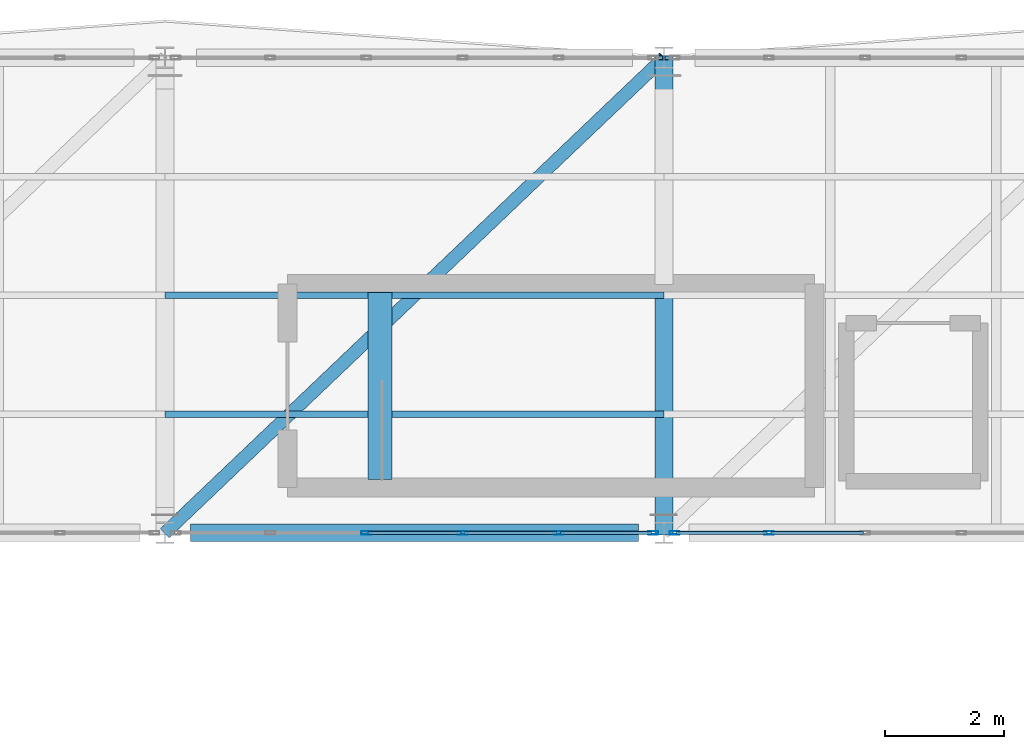
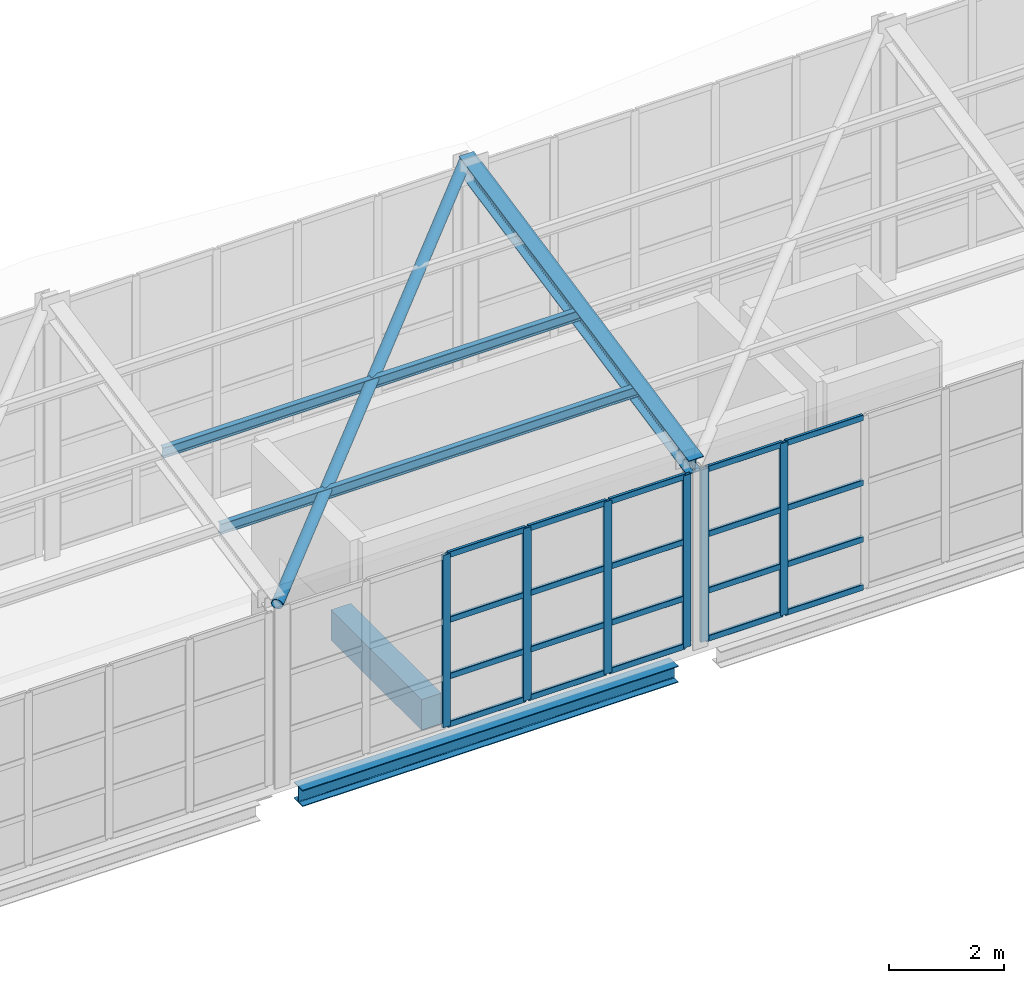
# One storey, part 114 of 177: 30 members, 2 beams, 2 elements without a shape of their own.
"""IFC4 building model written with IfcOpenShell, lengths in metres."""

from ifc_helpers import new_model, si_unit, direction, frame, origin, origin_2d, place, context, subcontext, project, spatial, rectangle, hollow_rectangle, hollow_circle, i_section, extrude, material, layer, layer_set, material_profile, profile_set, type_object, element, aggregate, save


model = new_model("IFC4")

# Units and contexts
model_context = context("Model", 3, precision=1e-05, world=origin(), true_north=direction((0.0, 1.0)))
body_context = subcontext(model_context, "Body", "Model", "MODEL_VIEW")
ifc_project = project(units=[si_unit("LENGTHUNIT", "METRE"), si_unit("AREAUNIT", "SQUARE_METRE"), si_unit("VOLUMEUNIT", "CUBIC_METRE"), si_unit("PLANEANGLEUNIT", "RADIAN"), si_unit("MASSUNIT", "GRAM", prefix="KILO"), si_unit("THERMODYNAMICTEMPERATUREUNIT", "KELVIN"), si_unit("POWERUNIT", "WATT")], contexts=[model_context])

# Site, building, storey
site_placement = place(None, origin())
site = spatial("IfcSite", under=ifc_project, at=site_placement, CompositionType="ELEMENT")
building_placement = place(site_placement, origin())
building = spatial("IfcBuilding", under=site, at=building_placement, Name="Mavoryth Pier Ferry Terminal", CompositionType="ELEMENT")
storey_placement = place(building_placement, frame((0.0, 0.0, 5.43994140625)))
storey = spatial("IfcBuildingStorey", under=building, at=storey_placement, Name="L01", CompositionType="ELEMENT", Elevation=5.43994140625)

# Member
ifc_material_1 = material(Name="Steel S355J2", Category="steel")
ifc_material_profile_1 = material_profile(ifc_material_1, hollow_circle(Radius=0.109619140625, WallThickness=0.010009765625, at=origin_2d()), Name="CHS 219.1x10.0", Category="steel")
ifc_profile_set_1 = profile_set([ifc_material_profile_1], Name="Steel S355J2 - CHS 219.1x10.0")
member_type_1 = type_object("IfcMemberType", Name="Brace-Diag-CHS219", PredefinedType="BRACE", material=ifc_profile_set_1)
member_1_placement = place(storey_placement, frame((126.0, 106.0, 3.771240234375), z_axis=(0.717108654399, 0.682968563255, 0.138957257423), x_axis=(-0.689659376744, 0.724133926887, 0.0)))
element("IfcMember", 1, at=member_1_placement, inside=storey, type_object=member_type_1, Name="Steel Member MB-L01-0289", PredefinedType="BRACE", context=body_context, shape_type="SweptSolid", body=[
    extrude(hollow_circle(Radius=0.109619140625, WallThickness=0.010009765625, at=origin_2d()), origin(), (0.0, 0.0, 1.0), 11.713623046875),
])

# Beam
ifc_material_2 = material(Name="Concrete C35/45", Category="concrete")
ifc_material_profile_2 = material_profile(ifc_material_2, rectangle(XDim=0.39990234375, YDim=0.64990234375, at=origin_2d()), Name="RC 400x650", Category="concrete")
ifc_profile_set_2 = profile_set([ifc_material_profile_2], Name="Concrete C35/45 - RC 400x650")
beam_type_1 = type_object("IfcBeamType", Name="Girder-RC-400x650", PredefinedType="BEAM", material=ifc_profile_set_2)
beam_1_placement = place(storey_placement, frame((129.6201171875, 106.89990234375, -0.324951171875), z_axis=(0.0, 1.0, 0.0), x_axis=(-1.0, 0.0, 0.0)))
element("IfcBeam", 2, at=beam_1_placement, inside=storey, type_object=beam_type_1, Name="Beam B01-BG05-1575", PredefinedType="BEAM", context=body_context, shape_type="SweptSolid", body=[
    extrude(rectangle(XDim=0.39990234375, YDim=0.64990234375, at=origin_2d()), origin(), (0.0, 0.0, 1.0), 3.150146484375),
])

# Curtain wall, members
ifc_material_3 = material(Name="Anodised Aluminium and Solar-Control Low-E Glass", Category="aluminium")
ifc_layer = layer(ifc_material_3, 0.139892578125, Name="Anodised Aluminium and Solar-Control Low-E Glass", Category="aluminium")
ifc_layer_set = layer_set([ifc_layer], Name="Anodised Aluminium and Solar-Control Low-E Glass - CW-Gallery-Mod1600")
curtain_wall_type = type_object("IfcCurtainWallType", Name="CW-Gallery-Mod1600", PredefinedType="USERDEFINED", material=ifc_layer_set)
curtain_wall_1_placement = place(storey_placement, origin())
curtain_wall_1 = element("IfcCurtainWall", 3, at=curtain_wall_1_placement, inside=storey, type_object=curtain_wall_type, Name="Curtain Wall CW-0122-091", ObjectType="UNITISED CURTAIN WALL", PredefinedType="USERDEFINED")
ifc_material_4 = material(Name="Anodised Aluminium EN AW-6063", Category="aluminium")
ifc_material_profile_3 = material_profile(ifc_material_4, hollow_rectangle(XDim=0.06005859375, YDim=0.1650390625, WallThickness=0.00390625, InnerFilletRadius=0.00390625, OuterFilletRadius=0.008056640625, at=origin_2d()), Name="AL-MULL 165x60x4", Category="aluminium")
ifc_profile_set_3 = profile_set([ifc_material_profile_3], Name="Anodised Aluminium EN AW-6063 - AL-MULL 165x60x4")
member_type_2 = type_object("IfcMemberType", Name="Mullion-Alum-165x60", PredefinedType="MULLION", material=ifc_profile_set_3)
member_2_placement = place(storey_placement, frame((129.389892578125, 106.0, 0.0), z_axis=(0.0, 0.0, 1.0), x_axis=(0.0, 1.0, 0.0)))
member_2 = element("IfcMember", 4, at=member_2_placement, type_object=member_type_2, Name="CW05 mullion 3", PredefinedType="MULLION", context=body_context, shape_type="SweptSolid", body=[
    extrude(hollow_rectangle(XDim=0.06005859375, YDim=0.1650390625, WallThickness=0.00390625, InnerFilletRadius=0.00390625, OuterFilletRadius=0.008056640625, at=origin_2d()), origin(), (0.0, 0.0, 1.0), 3.66015625),
])
member_3_placement = place(storey_placement, frame((131.010009765625, 106.0, 0.0), z_axis=(0.0, 0.0, 1.0), x_axis=(0.0, 1.0, 0.0)))
member_3 = element("IfcMember", 5, at=member_3_placement, type_object=member_type_2, Name="CW05 mullion 4", PredefinedType="MULLION", context=body_context, shape_type="SweptSolid", body=[
    extrude(hollow_rectangle(XDim=0.06005859375, YDim=0.1650390625, WallThickness=0.00390625, InnerFilletRadius=0.00390625, OuterFilletRadius=0.008056640625, at=origin_2d()), origin(), (0.0, 0.0, 1.0), 3.66015625),
])
member_4_placement = place(storey_placement, frame((132.6298828125, 106.0, 0.0), z_axis=(0.0, 0.0, 1.0), x_axis=(0.0, 1.0, 0.0)))
member_4 = element("IfcMember", 6, at=member_4_placement, type_object=member_type_2, Name="CW05 mullion 5", PredefinedType="MULLION", context=body_context, shape_type="SweptSolid", body=[
    extrude(hollow_rectangle(XDim=0.06005859375, YDim=0.1650390625, WallThickness=0.00390625, InnerFilletRadius=0.00390625, OuterFilletRadius=0.008056640625, at=origin_2d()), origin(), (0.0, 0.0, 1.0), 3.66015625),
])
member_5_placement = place(storey_placement, frame((134.219970703125, 106.0, 0.0), z_axis=(0.0, 0.0, 1.0), x_axis=(0.0, 1.0, 0.0)))
member_5 = element("IfcMember", 7, at=member_5_placement, type_object=member_type_2, Name="CW05 mullion 6", PredefinedType="MULLION", context=body_context, shape_type="SweptSolid", body=[
    extrude(hollow_rectangle(XDim=0.06005859375, YDim=0.1650390625, WallThickness=0.00390625, InnerFilletRadius=0.00390625, OuterFilletRadius=0.008056640625, at=origin_2d()), origin(), (0.0, 0.0, 1.0), 3.66015625),
])

curtain_wall_2_placement = place(storey_placement, origin())
curtain_wall_2 = element("IfcCurtainWall", 8, at=curtain_wall_2_placement, inside=storey, type_object=curtain_wall_type, Name="Curtain Wall CW-0122-093", ObjectType="UNITISED CURTAIN WALL", PredefinedType="USERDEFINED")
member_6_placement = place(storey_placement, frame((134.580078125, 106.0, 0.0), z_axis=(0.0, 0.0, 1.0), x_axis=(0.0, 1.0, 0.0)))
member_6 = element("IfcMember", 9, at=member_6_placement, type_object=member_type_2, Name="CW05 mullion 1", PredefinedType="MULLION", context=body_context, shape_type="SweptSolid", body=[
    extrude(hollow_rectangle(XDim=0.06005859375, YDim=0.1650390625, WallThickness=0.00390625, InnerFilletRadius=0.00390625, OuterFilletRadius=0.008056640625, at=origin_2d()), origin(), (0.0, 0.0, 1.0), 3.66015625),
])
member_7_placement = place(storey_placement, frame((136.169921875, 106.0, 0.0), z_axis=(0.0, 0.0, 1.0), x_axis=(0.0, 1.0, 0.0)))
member_7 = element("IfcMember", 10, at=member_7_placement, type_object=member_type_2, Name="CW05 mullion 2", PredefinedType="MULLION", context=body_context, shape_type="SweptSolid", body=[
    extrude(hollow_rectangle(XDim=0.06005859375, YDim=0.1650390625, WallThickness=0.00390625, InnerFilletRadius=0.00390625, OuterFilletRadius=0.008056640625, at=origin_2d()), origin(), (0.0, 0.0, 1.0), 3.66015625),
])

# Members
ifc_material_profile_4 = material_profile(ifc_material_1, i_section(OverallWidth=0.110107421875, OverallDepth=0.219970703125, WebThickness=0.005859375, FlangeThickness=0.00927734375, FilletRadius=0.011962890625, at=origin_2d()), Name="IPE 220", Category="steel")
ifc_profile_set_4 = profile_set([ifc_material_profile_4], Name="Steel S355J2 - IPE 220")
member_type_3 = type_object("IfcMemberType", Name="Purlin-Roof-IPE220", PredefinedType="PURLIN", material=ifc_profile_set_4)
for number, where, z_axis, x_axis, name in (
    (11, (126.0, 108.0, 4.17822265625), (1.0, 0.0, 0.0), (0.0, 1.0, 0.0), "Steel Member MB-L01-0286"),
    (12, (126.0, 110.0, 4.5849609375), (1.0, 0.0, 0.0), (0.0, 1.0, 0.0), "Steel Member MB-L01-0287"),
):
    element("IfcMember", number, at=place(storey_placement, frame(where, z_axis=z_axis, x_axis=x_axis)), inside=storey, type_object=member_type_3, Name=name, PredefinedType="PURLIN", context=body_context, shape_type="SweptSolid", body=[
        extrude(i_section(OverallWidth=0.110107421875, OverallDepth=0.219970703125, WebThickness=0.005859375, FlangeThickness=0.00927734375, FilletRadius=0.011962890625, at=origin_2d()), origin(), (0.0, 0.0, 1.0), 8.39990234375),
    ])
ifc_material_profile_5 = material_profile(ifc_material_1, i_section(OverallWidth=0.300048828125, OverallDepth=0.35009765625, WebThickness=0.010009765625, FlangeThickness=0.017578125, FilletRadius=0.027099609375, at=origin_2d()), Name="HEA 360", Category="steel")
ifc_profile_set_5 = profile_set([ifc_material_profile_5], Name="Steel S355J2 - HEA 360")
member_type_4 = type_object("IfcMemberType", Name="Rafter-Gallery-HEA360", PredefinedType="RAFTER", material=ifc_profile_set_5)
member_8_placement = place(storey_placement, frame((134.39990234375, 106.0, 3.771240234375), z_axis=(0.0, 0.979923097627, 0.199375832882), x_axis=(-1.0, 0.0, 0.0)))
element("IfcMember", 13, at=member_8_placement, inside=storey, type_object=member_type_4, Name="Steel Member MB-L01-0247", PredefinedType="RAFTER", context=body_context, shape_type="SweptSolid", body=[
    extrude(i_section(OverallWidth=0.300048828125, OverallDepth=0.35009765625, WebThickness=0.010009765625, FlangeThickness=0.017578125, FilletRadius=0.027099609375, at=origin_2d()), origin(), (0.0, 0.0, 1.0), 8.163818359375),
])

# Beam
ifc_material_profile_6 = material_profile(ifc_material_1, i_section(OverallWidth=0.300048828125, OverallDepth=0.35009765625, WebThickness=0.010009765625, FlangeThickness=0.017578125, FilletRadius=0.027099609375, at=origin_2d()), Name="HEA 360", Category="steel")
ifc_profile_set_6 = profile_set([ifc_material_profile_6], Name="Steel S355J2 - HEA 360")
beam_type_2 = type_object("IfcBeamType", Name="Spandrel-Steel-HEA360", PredefinedType="SPANDREL", material=ifc_profile_set_6)
beam_2_placement = place(storey_placement, frame((126.425048828125, 106.0, -0.4150390625), z_axis=(1.0, 0.0, 0.0), x_axis=(0.0, 1.0, 0.0)))
element("IfcBeam", 14, at=beam_2_placement, inside=storey, type_object=beam_type_2, Name="Beam B01-SP03-0263", PredefinedType="SPANDREL", context=body_context, shape_type="SweptSolid", body=[
    extrude(i_section(OverallWidth=0.300048828125, OverallDepth=0.35009765625, WebThickness=0.010009765625, FlangeThickness=0.017578125, FilletRadius=0.027099609375, at=origin_2d()), origin(), (0.0, 0.0, 1.0), 7.550048828125),
])

# Member
ifc_material_profile_7 = material_profile(ifc_material_4, hollow_rectangle(XDim=0.06005859375, YDim=0.125, WallThickness=0.00390625, InnerFilletRadius=0.00390625, OuterFilletRadius=0.008056640625, at=origin_2d()), Name="AL-TRAN 125x60x4", Category="aluminium")
ifc_profile_set_7 = profile_set([ifc_material_profile_7], Name="Anodised Aluminium EN AW-6063 - AL-TRAN 125x60x4")
member_type_5 = type_object("IfcMemberType", Name="Transom-Alum-125x60", PredefinedType="USERDEFINED", material=ifc_profile_set_7)
member_9_placement = place(storey_placement, frame((129.419921875, 106.0, 0.030029296875), z_axis=(1.0, 0.0, 0.0), x_axis=(0.0, 1.0, 0.0)))
member_9 = element("IfcMember", 15, at=member_9_placement, type_object=member_type_5, Name="CW05 transom 3.1", ObjectType="TRANSOM", PredefinedType="USERDEFINED", context=body_context, shape_type="SweptSolid", body=[
    extrude(hollow_rectangle(XDim=0.06005859375, YDim=0.125, WallThickness=0.00390625, InnerFilletRadius=0.00390625, OuterFilletRadius=0.008056640625, at=origin_2d()), origin(), (0.0, 0.0, 1.0), 1.56005859375),
])

member_10_placement = place(storey_placement, frame((129.419921875, 106.0, 1.050048828125), z_axis=(1.0, 0.0, 0.0), x_axis=(0.0, 1.0, 0.0)))
member_10 = element("IfcMember", 16, at=member_10_placement, type_object=member_type_5, Name="CW05 transom 3.2", ObjectType="TRANSOM", PredefinedType="USERDEFINED", context=body_context, shape_type="SweptSolid", body=[
    extrude(hollow_rectangle(XDim=0.06005859375, YDim=0.125, WallThickness=0.00390625, InnerFilletRadius=0.00390625, OuterFilletRadius=0.008056640625, at=origin_2d()), origin(), (0.0, 0.0, 1.0), 1.56005859375),
])

member_11_placement = place(storey_placement, frame((129.419921875, 106.0, 2.25), z_axis=(1.0, 0.0, 0.0), x_axis=(0.0, 1.0, 0.0)))
member_11 = element("IfcMember", 17, at=member_11_placement, type_object=member_type_5, Name="CW05 transom 3.3", ObjectType="TRANSOM", PredefinedType="USERDEFINED", context=body_context, shape_type="SweptSolid", body=[
    extrude(hollow_rectangle(XDim=0.06005859375, YDim=0.125, WallThickness=0.00390625, InnerFilletRadius=0.00390625, OuterFilletRadius=0.008056640625, at=origin_2d()), origin(), (0.0, 0.0, 1.0), 1.56005859375),
])

member_12_placement = place(storey_placement, frame((129.419921875, 106.0, 3.630126953125), z_axis=(1.0, 0.0, 0.0), x_axis=(0.0, 1.0, 0.0)))
member_12 = element("IfcMember", 18, at=member_12_placement, type_object=member_type_5, Name="CW05 transom 3.4", ObjectType="TRANSOM", PredefinedType="USERDEFINED", context=body_context, shape_type="SweptSolid", body=[
    extrude(hollow_rectangle(XDim=0.06005859375, YDim=0.125, WallThickness=0.00390625, InnerFilletRadius=0.00390625, OuterFilletRadius=0.008056640625, at=origin_2d()), origin(), (0.0, 0.0, 1.0), 1.56005859375),
])

member_13_placement = place(storey_placement, frame((131.0400390625, 106.0, 0.030029296875), z_axis=(1.0, 0.0, 0.0), x_axis=(0.0, 1.0, 0.0)))
member_13 = element("IfcMember", 19, at=member_13_placement, type_object=member_type_5, Name="CW05 transom 4.1", ObjectType="TRANSOM", PredefinedType="USERDEFINED", context=body_context, shape_type="SweptSolid", body=[
    extrude(hollow_rectangle(XDim=0.06005859375, YDim=0.125, WallThickness=0.00390625, InnerFilletRadius=0.00390625, OuterFilletRadius=0.008056640625, at=origin_2d()), origin(), (0.0, 0.0, 1.0), 1.56005859375),
])

member_14_placement = place(storey_placement, frame((131.0400390625, 106.0, 1.050048828125), z_axis=(1.0, 0.0, 0.0), x_axis=(0.0, 1.0, 0.0)))
member_14 = element("IfcMember", 20, at=member_14_placement, type_object=member_type_5, Name="CW05 transom 4.2", ObjectType="TRANSOM", PredefinedType="USERDEFINED", context=body_context, shape_type="SweptSolid", body=[
    extrude(hollow_rectangle(XDim=0.06005859375, YDim=0.125, WallThickness=0.00390625, InnerFilletRadius=0.00390625, OuterFilletRadius=0.008056640625, at=origin_2d()), origin(), (0.0, 0.0, 1.0), 1.56005859375),
])

member_15_placement = place(storey_placement, frame((131.0400390625, 106.0, 2.25), z_axis=(1.0, 0.0, 0.0), x_axis=(0.0, 1.0, 0.0)))
member_15 = element("IfcMember", 21, at=member_15_placement, type_object=member_type_5, Name="CW05 transom 4.3", ObjectType="TRANSOM", PredefinedType="USERDEFINED", context=body_context, shape_type="SweptSolid", body=[
    extrude(hollow_rectangle(XDim=0.06005859375, YDim=0.125, WallThickness=0.00390625, InnerFilletRadius=0.00390625, OuterFilletRadius=0.008056640625, at=origin_2d()), origin(), (0.0, 0.0, 1.0), 1.56005859375),
])

member_16_placement = place(storey_placement, frame((131.0400390625, 106.0, 3.630126953125), z_axis=(1.0, 0.0, 0.0), x_axis=(0.0, 1.0, 0.0)))
member_16 = element("IfcMember", 22, at=member_16_placement, type_object=member_type_5, Name="CW05 transom 4.4", ObjectType="TRANSOM", PredefinedType="USERDEFINED", context=body_context, shape_type="SweptSolid", body=[
    extrude(hollow_rectangle(XDim=0.06005859375, YDim=0.125, WallThickness=0.00390625, InnerFilletRadius=0.00390625, OuterFilletRadius=0.008056640625, at=origin_2d()), origin(), (0.0, 0.0, 1.0), 1.56005859375),
])

member_17_placement = place(storey_placement, frame((132.659912109375, 106.0, 0.030029296875), z_axis=(1.0, 0.0, 0.0), x_axis=(0.0, 1.0, 0.0)))
member_17 = element("IfcMember", 23, at=member_17_placement, type_object=member_type_5, Name="CW05 transom 5.1", ObjectType="TRANSOM", PredefinedType="USERDEFINED", context=body_context, shape_type="SweptSolid", body=[
    extrude(hollow_rectangle(XDim=0.06005859375, YDim=0.125, WallThickness=0.00390625, InnerFilletRadius=0.00390625, OuterFilletRadius=0.008056640625, at=origin_2d()), origin(), (0.0, 0.0, 1.0), 1.530029296875),
])

member_18_placement = place(storey_placement, frame((132.659912109375, 106.0, 1.050048828125), z_axis=(1.0, 0.0, 0.0), x_axis=(0.0, 1.0, 0.0)))
member_18 = element("IfcMember", 24, at=member_18_placement, type_object=member_type_5, Name="CW05 transom 5.2", ObjectType="TRANSOM", PredefinedType="USERDEFINED", context=body_context, shape_type="SweptSolid", body=[
    extrude(hollow_rectangle(XDim=0.06005859375, YDim=0.125, WallThickness=0.00390625, InnerFilletRadius=0.00390625, OuterFilletRadius=0.008056640625, at=origin_2d()), origin(), (0.0, 0.0, 1.0), 1.530029296875),
])

member_19_placement = place(storey_placement, frame((132.659912109375, 106.0, 2.25), z_axis=(1.0, 0.0, 0.0), x_axis=(0.0, 1.0, 0.0)))
member_19 = element("IfcMember", 25, at=member_19_placement, type_object=member_type_5, Name="CW05 transom 5.3", ObjectType="TRANSOM", PredefinedType="USERDEFINED", context=body_context, shape_type="SweptSolid", body=[
    extrude(hollow_rectangle(XDim=0.06005859375, YDim=0.125, WallThickness=0.00390625, InnerFilletRadius=0.00390625, OuterFilletRadius=0.008056640625, at=origin_2d()), origin(), (0.0, 0.0, 1.0), 1.530029296875),
])

member_20_placement = place(storey_placement, frame((132.659912109375, 106.0, 3.630126953125), z_axis=(1.0, 0.0, 0.0), x_axis=(0.0, 1.0, 0.0)))
member_20 = element("IfcMember", 26, at=member_20_placement, type_object=member_type_5, Name="CW05 transom 5.4", ObjectType="TRANSOM", PredefinedType="USERDEFINED", context=body_context, shape_type="SweptSolid", body=[
    extrude(hollow_rectangle(XDim=0.06005859375, YDim=0.125, WallThickness=0.00390625, InnerFilletRadius=0.00390625, OuterFilletRadius=0.008056640625, at=origin_2d()), origin(), (0.0, 0.0, 1.0), 1.530029296875),
])

aggregate(curtain_wall_1, [member_2, member_3, member_4, member_5, member_9, member_10, member_11, member_12, member_13, member_14, member_15, member_16, member_17, member_18, member_19, member_20])

member_21_placement = place(storey_placement, frame((134.610107421875, 106.0, 0.030029296875), z_axis=(1.0, 0.0, 0.0), x_axis=(0.0, 1.0, 0.0)))
member_21 = element("IfcMember", 27, at=member_21_placement, type_object=member_type_5, Name="CW05 transom 1.1", ObjectType="TRANSOM", PredefinedType="USERDEFINED", context=body_context, shape_type="SweptSolid", body=[
    extrude(hollow_rectangle(XDim=0.06005859375, YDim=0.125, WallThickness=0.00390625, InnerFilletRadius=0.00390625, OuterFilletRadius=0.008056640625, at=origin_2d()), origin(), (0.0, 0.0, 1.0), 1.52978515625),
])

member_22_placement = place(storey_placement, frame((134.610107421875, 106.0, 1.050048828125), z_axis=(1.0, 0.0, 0.0), x_axis=(0.0, 1.0, 0.0)))
member_22 = element("IfcMember", 28, at=member_22_placement, type_object=member_type_5, Name="CW05 transom 1.2", ObjectType="TRANSOM", PredefinedType="USERDEFINED", context=body_context, shape_type="SweptSolid", body=[
    extrude(hollow_rectangle(XDim=0.06005859375, YDim=0.125, WallThickness=0.00390625, InnerFilletRadius=0.00390625, OuterFilletRadius=0.008056640625, at=origin_2d()), origin(), (0.0, 0.0, 1.0), 1.52978515625),
])

member_23_placement = place(storey_placement, frame((134.610107421875, 106.0, 2.25), z_axis=(1.0, 0.0, 0.0), x_axis=(0.0, 1.0, 0.0)))
member_23 = element("IfcMember", 29, at=member_23_placement, type_object=member_type_5, Name="CW05 transom 1.3", ObjectType="TRANSOM", PredefinedType="USERDEFINED", context=body_context, shape_type="SweptSolid", body=[
    extrude(hollow_rectangle(XDim=0.06005859375, YDim=0.125, WallThickness=0.00390625, InnerFilletRadius=0.00390625, OuterFilletRadius=0.008056640625, at=origin_2d()), origin(), (0.0, 0.0, 1.0), 1.52978515625),
])

member_24_placement = place(storey_placement, frame((134.610107421875, 106.0, 3.630126953125), z_axis=(1.0, 0.0, 0.0), x_axis=(0.0, 1.0, 0.0)))
member_24 = element("IfcMember", 30, at=member_24_placement, type_object=member_type_5, Name="CW05 transom 1.4", ObjectType="TRANSOM", PredefinedType="USERDEFINED", context=body_context, shape_type="SweptSolid", body=[
    extrude(hollow_rectangle(XDim=0.06005859375, YDim=0.125, WallThickness=0.00390625, InnerFilletRadius=0.00390625, OuterFilletRadius=0.008056640625, at=origin_2d()), origin(), (0.0, 0.0, 1.0), 1.52978515625),
])

member_25_placement = place(storey_placement, frame((136.199951171875, 106.0, 0.030029296875), z_axis=(1.0, 0.0, 0.0), x_axis=(0.0, 1.0, 0.0)))
member_25 = element("IfcMember", 31, at=member_25_placement, type_object=member_type_5, Name="CW05 transom 2.1", ObjectType="TRANSOM", PredefinedType="USERDEFINED", context=body_context, shape_type="SweptSolid", body=[
    extrude(hollow_rectangle(XDim=0.06005859375, YDim=0.125, WallThickness=0.00390625, InnerFilletRadius=0.00390625, OuterFilletRadius=0.008056640625, at=origin_2d()), origin(), (0.0, 0.0, 1.0), 1.56005859375),
])

member_26_placement = place(storey_placement, frame((136.199951171875, 106.0, 1.050048828125), z_axis=(1.0, 0.0, 0.0), x_axis=(0.0, 1.0, 0.0)))
member_26 = element("IfcMember", 32, at=member_26_placement, type_object=member_type_5, Name="CW05 transom 2.2", ObjectType="TRANSOM", PredefinedType="USERDEFINED", context=body_context, shape_type="SweptSolid", body=[
    extrude(hollow_rectangle(XDim=0.06005859375, YDim=0.125, WallThickness=0.00390625, InnerFilletRadius=0.00390625, OuterFilletRadius=0.008056640625, at=origin_2d()), origin(), (0.0, 0.0, 1.0), 1.56005859375),
])

member_27_placement = place(storey_placement, frame((136.199951171875, 106.0, 2.25), z_axis=(1.0, 0.0, 0.0), x_axis=(0.0, 1.0, 0.0)))
member_27 = element("IfcMember", 33, at=member_27_placement, type_object=member_type_5, Name="CW05 transom 2.3", ObjectType="TRANSOM", PredefinedType="USERDEFINED", context=body_context, shape_type="SweptSolid", body=[
    extrude(hollow_rectangle(XDim=0.06005859375, YDim=0.125, WallThickness=0.00390625, InnerFilletRadius=0.00390625, OuterFilletRadius=0.008056640625, at=origin_2d()), origin(), (0.0, 0.0, 1.0), 1.56005859375),
])

member_28_placement = place(storey_placement, frame((136.199951171875, 106.0, 3.630126953125), z_axis=(1.0, 0.0, 0.0), x_axis=(0.0, 1.0, 0.0)))
member_28 = element("IfcMember", 34, at=member_28_placement, type_object=member_type_5, Name="CW05 transom 2.4", ObjectType="TRANSOM", PredefinedType="USERDEFINED", context=body_context, shape_type="SweptSolid", body=[
    extrude(hollow_rectangle(XDim=0.06005859375, YDim=0.125, WallThickness=0.00390625, InnerFilletRadius=0.00390625, OuterFilletRadius=0.008056640625, at=origin_2d()), origin(), (0.0, 0.0, 1.0), 1.56005859375),
])

aggregate(curtain_wall_2, [member_6, member_7, member_21, member_22, member_23, member_24, member_25, member_26, member_27, member_28])

save(model, "model.ifc")
